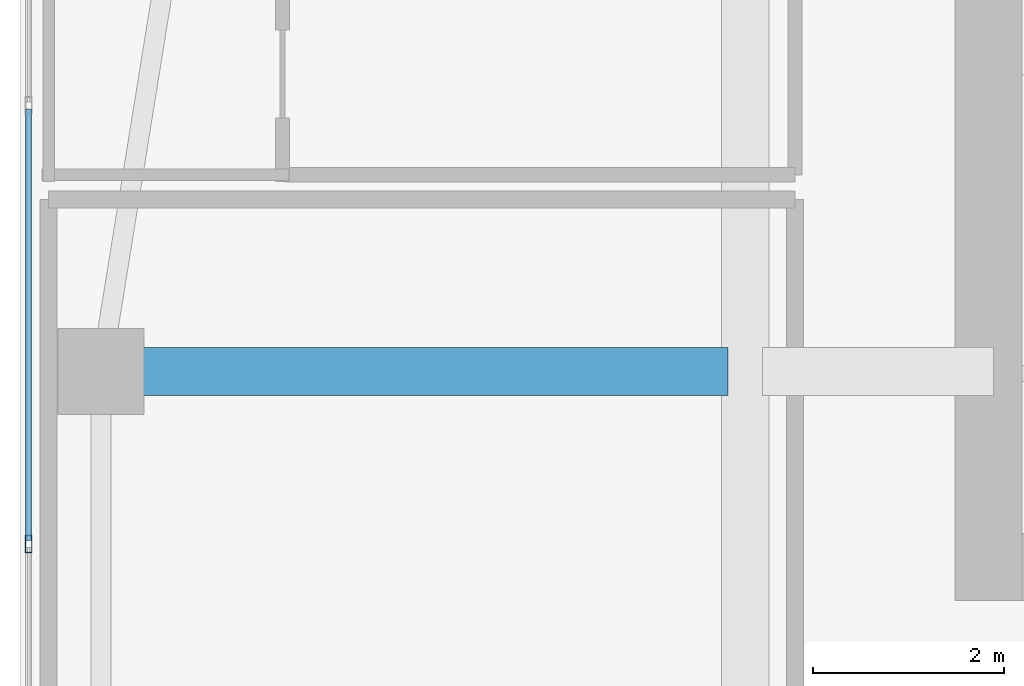
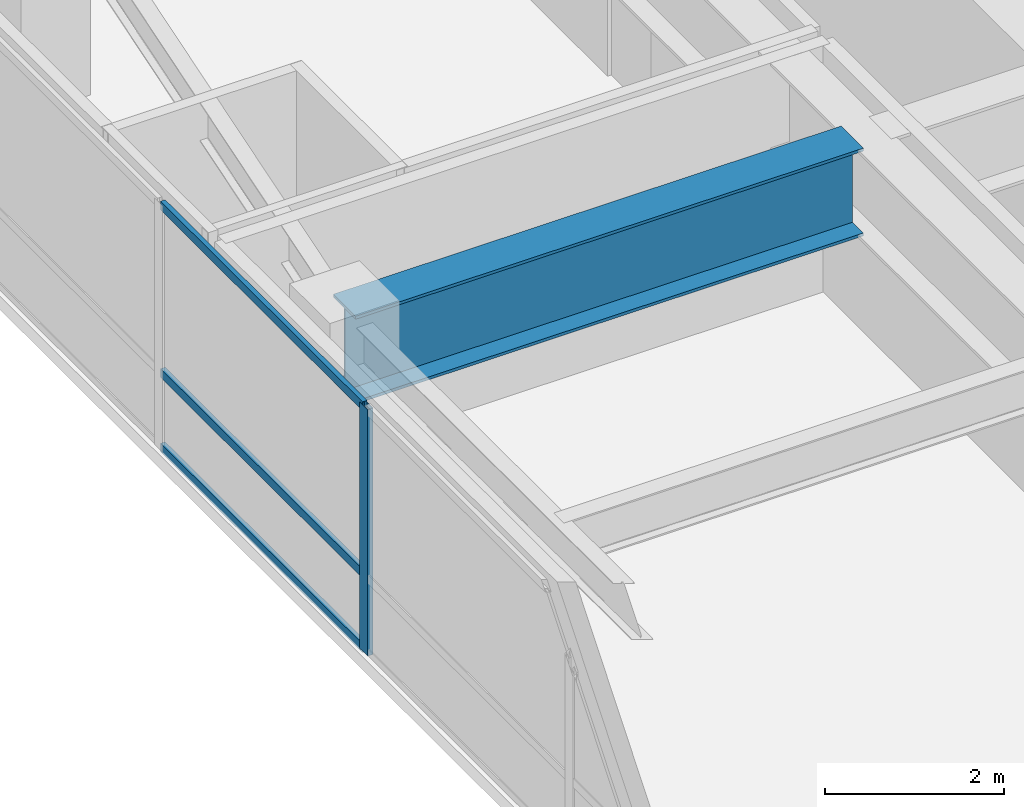
# One storey, part 20 of 37: 4 members, 1 beam, 1 element without a shape of its own.
"""IFC4 building model written with IfcOpenShell, lengths in metres."""

from ifc_helpers import new_model, si_unit, direction, frame, origin, origin_2d, place, context, subcontext, project, spatial, hollow_rectangle, i_section, extrude, source, transform, mapped, material, layer, layer_set, material_profile, profile_set, type_object, type_shapes, element, aggregate, save


model = new_model("IFC4")

# Units and contexts
model_context = context("Model", 3, precision=1e-05, world=origin(), true_north=direction((0.0, 1.0)))
body_context = subcontext(model_context, "Body", "Model", "MODEL_VIEW")
ifc_project = project(units=[si_unit("LENGTHUNIT", "METRE"), si_unit("AREAUNIT", "SQUARE_METRE"), si_unit("VOLUMEUNIT", "CUBIC_METRE"), si_unit("PLANEANGLEUNIT", "RADIAN"), si_unit("MASSUNIT", "GRAM", prefix="KILO")], contexts=[model_context])

# Site, building, storey
site_placement = place(None, origin())
site = spatial("IfcSite", under=ifc_project, at=site_placement, CompositionType="ELEMENT")
building_placement = place(site_placement, origin())
building = spatial("IfcBuilding", under=site, at=building_placement, Name="Tolvann Quenvar Hotel", CompositionType="ELEMENT")
storey_placement = place(building_placement, frame((0.0, 0.0, 104.449951171875)))
storey = spatial("IfcBuildingStorey", under=building, at=storey_placement, Name="L26", CompositionType="ELEMENT", Elevation=104.449951171875)

# Beam
ifc_material_1 = material(Name="Steel Grade 350", Category="steel")
ifc_material_profile_1 = material_profile(ifc_material_1, i_section(OverallWidth=0.5, OverallDepth=1.199951171875, WebThickness=0.01611328125, FlangeThickness=0.0400390625, at=origin_2d()), Name="1200WB455")
ifc_profile_set_1 = profile_set([ifc_material_profile_1], Name="Steel Grade 350")
beam_type = type_object("IfcBeamType", Name="BM_TG_1200WB455", PredefinedType="USERDEFINED", material=ifc_profile_set_1)
shared_shape_1 = source(origin(), body_context, "Body", "SweptSolid", [
    extrude(i_section(OverallWidth=0.5, OverallDepth=1.199951171875, WebThickness=0.01611328125, FlangeThickness=0.0400390625, at=origin_2d()), origin(), (0.0, 0.0, 1.0), 6.56982421875),
])
type_shapes(beam_type, [shared_shape_1])
beam_placement = place(storey_placement, frame((0.85009765625, 34.0, 2.77001953125), z_axis=(1.0, 0.0, 0.0), x_axis=(0.0, 1.0, 0.0)))
element("IfcBeam", 1, at=beam_placement, inside=storey, type_object=beam_type, Name="BM-L26-CTW-MID1", ObjectType="TRANSFER GIRDER", PredefinedType="USERDEFINED", context=body_context, shape_type="MappedRepresentation", body=[
    mapped(shared_shape_1, transform((0.0, 0.0, 0.0), x_axis=(1.0, 0.0, 0.0), y_axis=(0.0, 1.0, 0.0), z_axis=(0.0, 0.0, 1.0), scale=1.0)),
])

# Curtain wall, members
ifc_material_2 = material(Name="Thermally broken anodised architectural aluminium 6063-T6 and laminated low-E glass", Category="aluminium")
ifc_layer = layer(ifc_material_2, 0.179931640625)
ifc_layer_set = layer_set([ifc_layer], Name="Thermally broken anodised architectural aluminium 6063-T6 and laminated low-E glass")
curtain_wall_type = type_object("IfcCurtainWallType", Name="CW_SYS_BAND_04", PredefinedType="USERDEFINED", material=ifc_layer_set)
curtain_wall_placement = place(storey_placement, origin())
curtain_wall = element("IfcCurtainWall", 2, at=curtain_wall_placement, inside=storey, type_object=curtain_wall_type, Name="Curtain Wall CW-BAND-04 (CWR-L26-E23)", ObjectType="UNITISED CURTAIN WALL", PredefinedType="USERDEFINED")
ifc_material_3 = material(Name="Anodised architectural aluminium 6063-T6 framing", Category="aluminium")
ifc_material_profile_2 = material_profile(ifc_material_3, hollow_rectangle(XDim=0.070068359375, YDim=0.179931640625, WallThickness=0.00390625, at=origin_2d()), Name="180x70x4RHS")
ifc_profile_set_2 = profile_set([ifc_material_profile_2], Name="Anodised architectural aluminium 6063-T6 framing")
member_type_1 = type_object("IfcMemberType", Name="CW_MULL_180x70", PredefinedType="MULLION", material=ifc_profile_set_2)
shared_shape_2 = source(origin(), body_context, "Body", "SweptSolid", [
    extrude(hollow_rectangle(XDim=0.070068359375, YDim=0.179931640625, WallThickness=0.00390625, at=origin_2d()), origin(), (0.0, 0.0, 1.0), 3.3701171875),
])
type_shapes(member_type_1, [shared_shape_2])
member_1_placement = place(storey_placement, frame((0.090087890625, 32.19140625, 0.0), z_axis=(0.0, 0.0, 1.0), x_axis=(1.0, 0.0, 0.0)))
member_1 = element("IfcMember", 3, at=member_1_placement, type_object=member_type_1, Name="CW-BAND-04 mullion 3", PredefinedType="MULLION", context=body_context, shape_type="MappedRepresentation", body=[
    mapped(shared_shape_2, transform((0.0, 0.0, 0.0), x_axis=(1.0, 0.0, 0.0), y_axis=(0.0, 1.0, 0.0), z_axis=(0.0, 0.0, 1.0), scale=1.0)),
])
ifc_material_profile_3 = material_profile(ifc_material_3, hollow_rectangle(XDim=0.06005859375, YDim=0.1201171875, WallThickness=0.00341796875, at=origin_2d()), Name="120x60x3.5RHS")
ifc_profile_set_3 = profile_set([ifc_material_profile_3], Name="Anodised architectural aluminium 6063-T6 framing")
member_type_2 = type_object("IfcMemberType", Name="CW_TRAN_120x60", PredefinedType="USERDEFINED", material=ifc_profile_set_3)
shared_shape_3 = source(origin(), body_context, "Body", "SweptSolid", [
    extrude(hollow_rectangle(XDim=0.06005859375, YDim=0.1201171875, WallThickness=0.00341796875, at=origin_2d()), origin(), (0.0, 0.0, 1.0), 4.52587890625),
])
type_shapes(member_type_2, [shared_shape_3])
member_2_placement = place(storey_placement, frame((0.090087890625, 36.752197265625, 0.030029296875), z_axis=(0.0, -1.0, 0.0), x_axis=(1.0, 0.0, 0.0)))
member_2 = element("IfcMember", 4, at=member_2_placement, type_object=member_type_2, Name="CW-BAND-04 transom 2.1", ObjectType="TRANSOM", PredefinedType="USERDEFINED", context=body_context, shape_type="MappedRepresentation", body=[
    mapped(shared_shape_3, transform((0.0, 0.0, 0.0), x_axis=(1.0, 0.0, 0.0), y_axis=(0.0, 1.0, 0.0), z_axis=(0.0, 0.0, 1.0), scale=1.0)),
])
member_3_placement = place(storey_placement, frame((0.090087890625, 36.752197265625, 1.050048828125), z_axis=(0.0, -1.0, 0.0), x_axis=(1.0, 0.0, 0.0)))
member_3 = element("IfcMember", 5, at=member_3_placement, type_object=member_type_2, Name="CW-BAND-04 transom 2.2", ObjectType="TRANSOM", PredefinedType="USERDEFINED", context=body_context, shape_type="MappedRepresentation", body=[
    mapped(shared_shape_3, transform((0.0, 0.0, 0.0), x_axis=(1.0, 0.0, 0.0), y_axis=(0.0, 1.0, 0.0), z_axis=(0.0, 0.0, 1.0), scale=1.0)),
])
member_4_placement = place(storey_placement, frame((0.090087890625, 36.752197265625, 3.340087890625), z_axis=(0.0, -1.0, 0.0), x_axis=(1.0, 0.0, 0.0)))
member_4 = element("IfcMember", 6, at=member_4_placement, type_object=member_type_2, Name="CW-BAND-04 transom 2.3", ObjectType="TRANSOM", PredefinedType="USERDEFINED", context=body_context, shape_type="MappedRepresentation", body=[
    mapped(shared_shape_3, transform((0.0, 0.0, 0.0), x_axis=(1.0, 0.0, 0.0), y_axis=(0.0, 1.0, 0.0), z_axis=(0.0, 0.0, 1.0), scale=1.0)),
])
aggregate(curtain_wall, [member_1, member_2, member_3, member_4])

save(model, "model.ifc")
